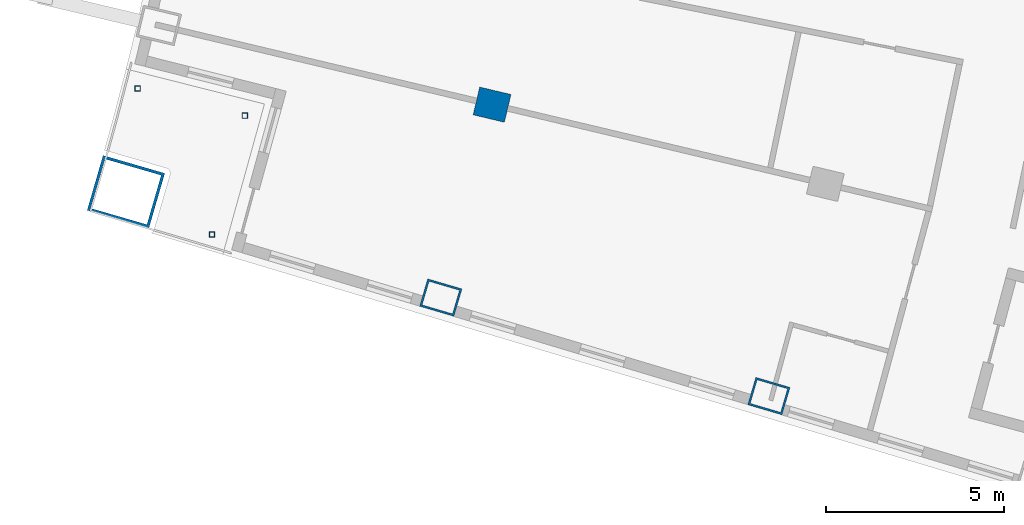
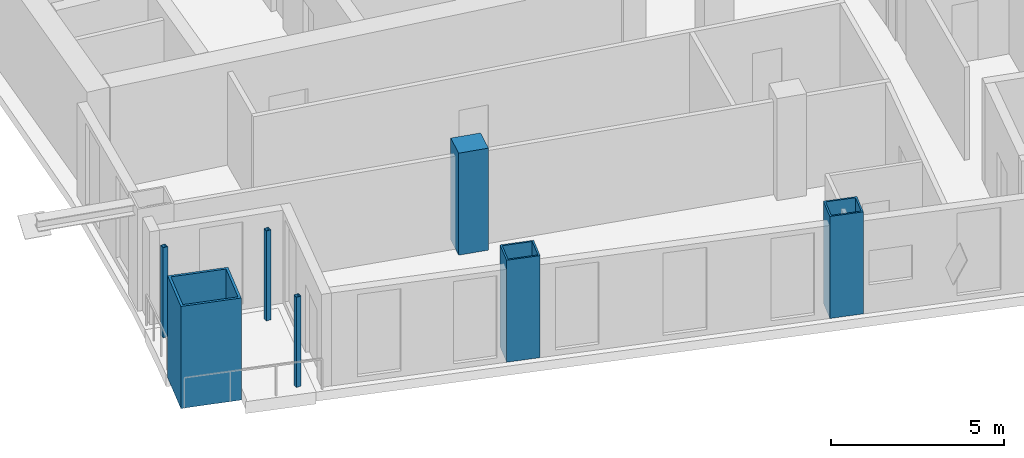
# One storey, part 1 of 20: 7 columns.
"""IFC4 building model written with IfcOpenShell, lengths in metres."""

from ifc_helpers import new_model, si_unit, direction, frame, origin, origin_2d, place, context, subcontext, project, spatial, rectangle, hollow_rectangle, extrude, material, material_profile, profile_set, type_object, element, save


model = new_model("IFC4")

# Units and contexts
model_context = context("Model", 3, precision=1e-05, world=origin(), true_north=direction((0.0, 1.0)))
body_context = subcontext(model_context, "Body", "Model", "MODEL_VIEW")
ifc_project = project(units=[si_unit("LENGTHUNIT", "METRE"), si_unit("AREAUNIT", "SQUARE_METRE"), si_unit("VOLUMEUNIT", "CUBIC_METRE"), si_unit("PLANEANGLEUNIT", "RADIAN"), si_unit("MASSUNIT", "GRAM", prefix="KILO")], contexts=[model_context])

# Site, building, storey
site_placement = place(None, origin())
site = spatial("IfcSite", under=ifc_project, at=site_placement, CompositionType="ELEMENT")
building_placement = place(site_placement, origin())
building = spatial("IfcBuilding", under=site, at=building_placement, Name="Alderwake Tower", CompositionType="ELEMENT")
storey_placement = place(building_placement, frame((0.0, 0.0, 167.60009765625)))
storey = spatial("IfcBuildingStorey", under=building, at=storey_placement, Name="L41", CompositionType="ELEMENT", Elevation=167.60009765625)

# Columns
ifc_material_1 = material(Name="Steel ASTM A572 Grade 50 concrete filled C70/85", Category="concrete")
ifc_material_profile_1 = material_profile(ifc_material_1, hollow_rectangle(XDim=0.800048828125, YDim=1.0, WallThickness=0.054931640625, at=origin_2d()), Name="BOX 1000X800X55")
ifc_profile_set_1 = profile_set([ifc_material_profile_1], Name="Steel ASTM A572 Grade 50 concrete filled C70/85")
column_type_1 = type_object("IfcColumnType", Name="End column Z3", PredefinedType="COLUMN", material=ifc_profile_set_1)
for number, where, z_axis, x_axis, name in (
    (1, (21.885498046875, 31.03759765625, 0.0), (0.0, 0.0, 1.0), (0.282132160283, 0.95937554906, 0.0), "Column R02-C1"),
    (2, (31.080322265625, 28.27685546875, 0.0), (0.0, 0.0, 1.0), (0.282582549822, 0.959242984095, 0.0), "Column R02-C2"),
):
    element("IfcColumn", number, at=place(storey_placement, frame(where, z_axis=z_axis, x_axis=x_axis)), inside=storey, type_object=column_type_1, Name=name, PredefinedType="COLUMN", context=body_context, shape_type="SweptSolid", body=[
        extrude(hollow_rectangle(XDim=0.800048828125, YDim=1.0, WallThickness=0.054931640625, at=origin_2d()), origin(), (0.0, 0.0, 1.0), 3.599853515625),
    ])
ifc_material_2 = material(Name="Concrete C70/85", Category="concrete")
ifc_material_profile_2 = material_profile(ifc_material_2, rectangle(XDim=0.800048828125, YDim=0.89990234375, at=origin_2d()), Name="RC 900X800")
ifc_profile_set_2 = profile_set([ifc_material_profile_2], Name="Concrete C70/85")
column_type_2 = type_object("IfcColumnType", Name="Interior column Z3", PredefinedType="COLUMN", material=ifc_profile_set_2)
column_1_placement = place(storey_placement, frame((23.322021484375, 36.444091796875, 0.0), z_axis=(0.0, 0.0, 1.0), x_axis=(0.231221547198, 0.972901123502, 0.0)))
element("IfcColumn", 3, at=column_1_placement, inside=storey, type_object=column_type_2, Name="Column R03-C1", PredefinedType="COLUMN", context=body_context, shape_type="SweptSolid", body=[
    extrude(rectangle(XDim=0.800048828125, YDim=0.89990234375, at=origin_2d()), origin(), (0.0, 0.0, 1.0), 3.599853515625),
])
ifc_material_3 = material(Name="Steel ASTM A500 Grade C", Category="steel")
ifc_material_profile_3 = material_profile(ifc_material_3, hollow_rectangle(XDim=0.15234375, YDim=0.15234375, WallThickness=0.0087890625, at=origin_2d()), Name="HSS6X6X3/8")
ifc_profile_set_3 = profile_set([ifc_material_profile_3], Name="Steel ASTM A500 Grade C")
column_type_3 = type_object("IfcColumnType", Name="Light post HSS6X6X3/8", PredefinedType="COLUMN", material=ifc_profile_set_3)
for number, where, z_axis, x_axis, name in (
    (4, (13.3896484375, 36.896484375, 0.0), (0.0, 0.0, 1.0), (1.0, 0.0, 0.0), "Terrace post RS1"),
    (5, (15.47412109375, 32.805908203125, 0.0), (0.0, 0.0, 1.0), (1.0, 0.0, 0.0), "Terrace post RS2"),
    (6, (16.39501953125, 36.135986328125, 0.0), (0.0, 0.0, 1.0), (1.0, 0.0, 0.0), "Terrace post RS3"),
):
    element("IfcColumn", number, at=place(storey_placement, frame(where, z_axis=z_axis, x_axis=x_axis)), inside=storey, type_object=column_type_3, Name=name, PredefinedType="COLUMN", context=body_context, shape_type="SweptSolid", body=[
        extrude(hollow_rectangle(XDim=0.15234375, YDim=0.15234375, WallThickness=0.0087890625, at=origin_2d()), origin(), (0.0, 0.0, 1.0), 3.179931640625),
    ])
ifc_material_4 = material(Name="Steel ASTM A572 Grade 50 concrete filled C70/85", Category="concrete")
ifc_material_profile_4 = material_profile(ifc_material_4, hollow_rectangle(XDim=1.60009765625, YDim=1.800048828125, WallThickness=0.080078125, at=origin_2d()), Name="BOX 1800X1600X80")
ifc_profile_set_4 = profile_set([ifc_material_profile_4], Name="Steel ASTM A572 Grade 50 concrete filled C70/85")
column_type_4 = type_object("IfcColumnType", Name="Mega column Z3", PredefinedType="COLUMN", material=ifc_profile_set_4)
column_2_placement = place(storey_placement, frame((13.06298828125, 34.00244140625, 0.0), z_axis=(0.0, 0.0, 1.0), x_axis=(0.278612301868, 0.960403657452, 0.0)))
element("IfcColumn", 7, at=column_2_placement, inside=storey, type_object=column_type_4, Name="Column R02-C0", PredefinedType="COLUMN", context=body_context, shape_type="SweptSolid", body=[
    extrude(hollow_rectangle(XDim=1.60009765625, YDim=1.800048828125, WallThickness=0.080078125, at=origin_2d()), origin(), (0.0, 0.0, 1.0), 3.599853515625),
])

save(model, "model.ifc")
